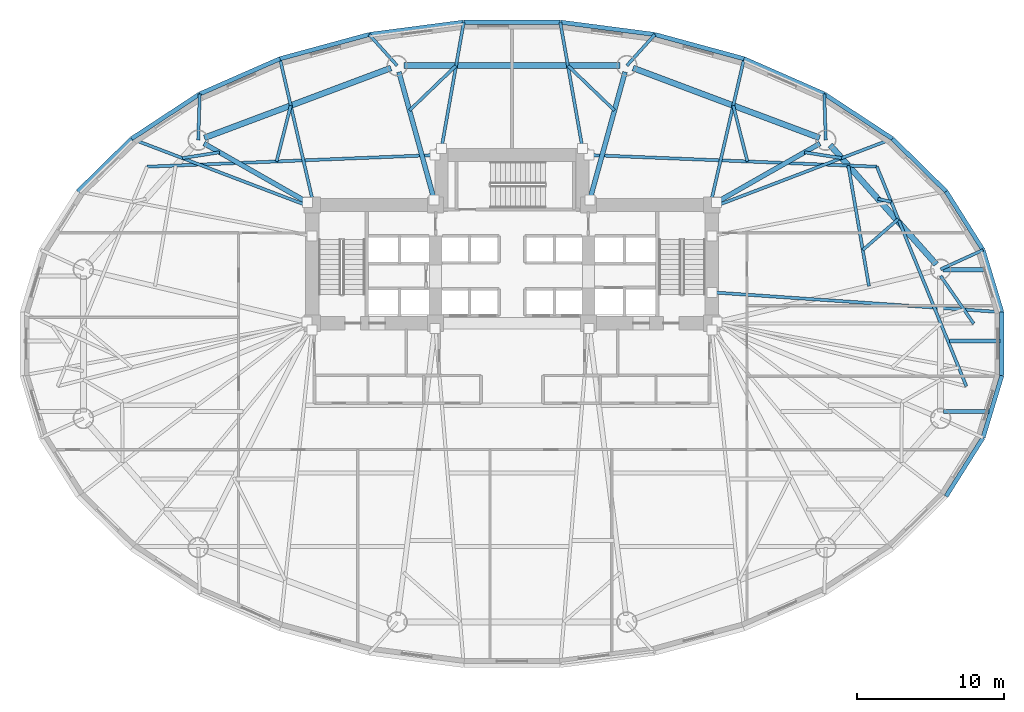
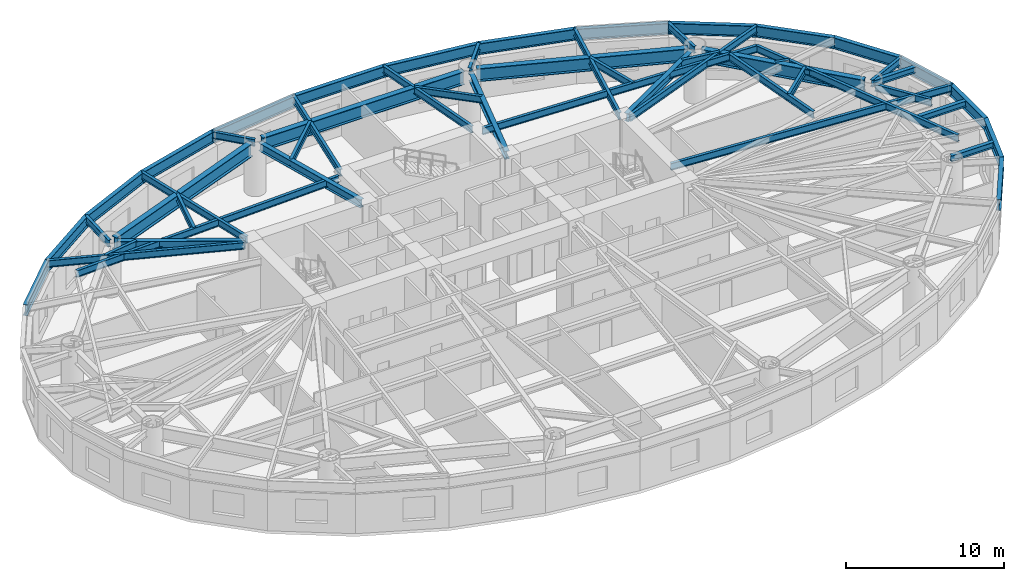
# One storey, part 3 of 14: 52 beams.
"""IFC4 building model written with IfcOpenShell, lengths in metres."""

from ifc_helpers import new_model, si_unit, direction, frame, origin, origin_2d, place, context, subcontext, project, spatial, i_section, extrude, material, material_profile, profile_set, type_object, element, save


model = new_model("IFC4")

# Units and contexts
model_context = context("Model", 3, precision=1e-05, world=origin(), true_north=direction((0.0, 1.0)))
body_context = subcontext(model_context, "Body", "Model", "MODEL_VIEW")
ifc_project = project(units=[si_unit("LENGTHUNIT", "METRE"), si_unit("AREAUNIT", "SQUARE_METRE"), si_unit("VOLUMEUNIT", "CUBIC_METRE"), si_unit("PLANEANGLEUNIT", "RADIAN"), si_unit("MASSUNIT", "GRAM", prefix="KILO")], contexts=[model_context])

# Site, building, storey
site_placement = place(None, origin())
site = spatial("IfcSite", under=ifc_project, at=site_placement, CompositionType="ELEMENT")
building_placement = place(site_placement, origin())
building = spatial("IfcBuilding", under=site, at=building_placement, Name="Keldmark Tower", CompositionType="ELEMENT")
storey_placement = place(building_placement, frame((0.0, 0.0, 18.60009765625)))
storey = spatial("IfcBuildingStorey", under=building, at=storey_placement, Name="L04", CompositionType="ELEMENT", Elevation=18.60009765625)

# Beams
ifc_material_1 = material(Name="Steel ASTM A992 Grade 50", Category="steel")
ifc_material_profile_1 = material_profile(ifc_material_1, i_section(OverallWidth=0.280029296875, OverallDepth=0.462890625, WebThickness=0.0107421875, FlangeThickness=0.017333984375, at=origin_2d()), Name="W18X76")
ifc_profile_set_1 = profile_set([ifc_material_profile_1], Name="Steel ASTM A992 Grade 50")
beam_type_1 = type_object("IfcBeamType", Name="Composite Floor Joist W18X76", PredefinedType="JOIST", material=ifc_profile_set_1)
beam_1_placement = place(storey_placement, frame((29.363037109375, -4.60009765625, 3.748291015625), z_axis=(1.0, 0.0, 0.0), x_axis=(0.0, 1.0, 0.0)))
element("IfcBeam", 1, at=beam_1_placement, inside=storey, type_object=beam_type_1, Name="L04 Composite Floor Joist J25", PredefinedType="JOIST", context=body_context, shape_type="SweptSolid", body=[
    extrude(i_section(OverallWidth=0.280029296875, OverallDepth=0.462890625, WebThickness=0.0107421875, FlangeThickness=0.017333984375, at=origin_2d()), origin(), (0.0, 0.0, 1.0), 3.092041015625),
])
beam_2_placement = place(storey_placement, frame((29.77001953125, 0.199951171875, 3.748291015625), z_axis=(1.0, 0.0, 0.0), x_axis=(0.0, 1.0, 0.0)))
element("IfcBeam", 2, at=beam_2_placement, inside=storey, type_object=beam_type_1, Name="L04 Composite Floor Joist J27", PredefinedType="JOIST", context=body_context, shape_type="SweptSolid", body=[
    extrude(i_section(OverallWidth=0.280029296875, OverallDepth=0.462890625, WebThickness=0.0107421875, FlangeThickness=0.017333984375, at=origin_2d()), origin(), (0.0, 0.0, 1.0), 3.431640625),
])
beam_3_placement = place(storey_placement, frame((29.337646484375, 5.0400390625, 3.748291015625), z_axis=(1.0, 0.0, 0.0), x_axis=(0.0, 1.0, 0.0)))
element("IfcBeam", 3, at=beam_3_placement, inside=storey, type_object=beam_type_1, Name="L04 Composite Floor Joist J29", PredefinedType="JOIST", context=body_context, shape_type="SweptSolid", body=[
    extrude(i_section(OverallWidth=0.280029296875, OverallDepth=0.462890625, WebThickness=0.0107421875, FlangeThickness=0.017333984375, at=origin_2d()), origin(), (0.0, 0.0, 1.0), 2.984375),
])
ifc_material_2 = material(Name="Steel ASTM A992 Grade 50", Category="steel")
ifc_material_profile_2 = material_profile(ifc_material_2, i_section(OverallWidth=0.402099609375, OverallDepth=1.011962890625, WebThickness=0.023681640625, FlangeThickness=0.0419921875, at=origin_2d()), Name="W40X297")
ifc_profile_set_2 = profile_set([ifc_material_profile_2], Name="Steel ASTM A992 Grade 50")
beam_type_2 = type_object("IfcBeamType", Name="Podium Primary Girder W40X297", PredefinedType="BEAM", material=ifc_profile_set_2)
beam_4_placement = place(storey_placement, frame((28.871826171875, 5.4091796875, 3.473876953125), z_axis=(-0.66464984112, 0.747154996436, 0.0), x_axis=(-0.747154996436, -0.66464984112, 0.0)))
element("IfcBeam", 4, at=beam_4_placement, inside=storey, type_object=beam_type_2, Name="L04 Podium Ring Girder PG-R01", PredefinedType="BEAM", context=body_context, shape_type="SweptSolid", body=[
    extrude(i_section(OverallWidth=0.402099609375, OverallDepth=1.011962890625, WebThickness=0.023681640625, FlangeThickness=0.0419921875, at=origin_2d()), origin(), (0.0, 0.0, 1.0), 10.85986328125),
])
beam_5_placement = place(storey_placement, frame((20.93310546875, 14.01708984375, 3.473876953125), z_axis=(-0.936417954382, 0.350886612329, 0.0), x_axis=(-0.350886612329, -0.936417954382, 0.0)))
element("IfcBeam", 5, at=beam_5_placement, inside=storey, type_object=beam_type_2, Name="L04 Podium Ring Girder PG-R02", PredefinedType="BEAM", context=body_context, shape_type="SweptSolid", body=[
    extrude(i_section(OverallWidth=0.402099609375, OverallDepth=1.011962890625, WebThickness=0.023681640625, FlangeThickness=0.0419921875, at=origin_2d()), origin(), (0.0, 0.0, 1.0), 13.557373046875),
])
beam_6_placement = place(storey_placement, frame((7.3662109375, 18.93212890625, 3.473876953125), z_axis=(-1.0, 0.0, 0.0), x_axis=(0.0, -1.0, 0.0)))
element("IfcBeam", 6, at=beam_6_placement, inside=storey, type_object=beam_type_2, Name="L04 Podium Ring Girder PG-R03", PredefinedType="BEAM", context=body_context, shape_type="SweptSolid", body=[
    extrude(i_section(OverallWidth=0.402099609375, OverallDepth=1.011962890625, WebThickness=0.023681640625, FlangeThickness=0.0419921875, at=origin_2d()), origin(), (0.0, 0.0, 1.0), 14.732421875),
])
beam_7_placement = place(storey_placement, frame((-8.23779296875, 18.774169921875, 3.473876953125), z_axis=(-0.936417954382, -0.350886612329, 0.0), x_axis=(0.350886612329, -0.936417954382, 0.0)))
element("IfcBeam", 7, at=beam_7_placement, inside=storey, type_object=beam_type_2, Name="L04 Podium Ring Girder PG-R04", PredefinedType="BEAM", context=body_context, shape_type="SweptSolid", body=[
    extrude(i_section(OverallWidth=0.402099609375, OverallDepth=1.011962890625, WebThickness=0.023681640625, FlangeThickness=0.0419921875, at=origin_2d()), origin(), (0.0, 0.0, 1.0), 13.557373046875),
])
ifc_material_3 = material(Name="Steel ASTM A992 Grade 50", Category="steel")
ifc_material_profile_3 = material_profile(ifc_material_3, i_section(OverallWidth=0.2099609375, OverallDepth=0.537109375, WebThickness=0.010986328125, FlangeThickness=0.017333984375, at=origin_2d()), Name="W21X68")
ifc_profile_set_3 = profile_set([ifc_material_profile_3], Name="Steel ASTM A992 Grade 50")
beam_type_3 = type_object("IfcBeamType", Name="Radial Tie Girder W21X68", PredefinedType="BEAM", material=ifc_profile_set_3)
beam_8_placement = place(storey_placement, frame((24.29541015625, 3.9228515625, 3.71142578125), z_axis=(-0.168727090465, 0.985662806919, 0.0), x_axis=(-0.985662806919, -0.168727090465, 0.0)))
element("IfcBeam", 8, at=beam_8_placement, inside=storey, type_object=beam_type_3, Name="L04 Framing Pin Header PH-001", PredefinedType="BEAM", context=body_context, shape_type="SweptSolid", body=[
    extrude(i_section(OverallWidth=0.2099609375, OverallDepth=0.537109375, WebThickness=0.010986328125, FlangeThickness=0.017333984375, at=origin_2d()), origin(), (0.0, 0.0, 1.0), 8.330078125),
])
for number, where, z_axis, x_axis, name in (
    (9, (5.25, 12.85009765625, 3.71142578125), (0.999176318744, -0.040579355112, 0.0), (0.040579355112, 0.999176318744, 0.0), "L04 Sub-Ring Step Girder STP1-M01"),
    (10, (-5.25, 12.85009765625, 3.71142578125), (-0.999176318744, -0.040579355112, 0.0), (0.040579355112, -0.999176318744, 0.0), "L04 Sub-Ring Step Girder STP1-M06"),
):
    element("IfcBeam", number, at=place(storey_placement, frame(where, z_axis=z_axis, x_axis=x_axis)), inside=storey, type_object=beam_type_3, Name=name, PredefinedType="BEAM", context=body_context, shape_type="SweptSolid", body=[
        extrude(i_section(OverallWidth=0.2099609375, OverallDepth=0.537109375, WebThickness=0.010986328125, FlangeThickness=0.017333984375, at=origin_2d()), origin(), (0.0, 0.0, 1.0), 19.601318359375),
    ])
beam_9_placement = place(storey_placement, frame((30.923583984375, -2.885986328125, 3.71142578125), z_axis=(-0.377373313858, 0.926061219352, 0.0), x_axis=(-0.926061219352, -0.377373313858, 0.0)))
element("IfcBeam", 11, at=beam_9_placement, inside=storey, type_object=beam_type_3, Name="L04 Perimeter Collector Ring Beam CRG1-M12", PredefinedType="BEAM", context=body_context, shape_type="SweptSolid", body=[
    extrude(i_section(OverallWidth=0.2099609375, OverallDepth=0.537109375, WebThickness=0.010986328125, FlangeThickness=0.017333984375, at=origin_2d()), origin(), (0.0, 0.0, 1.0), 16.133544921875),
])
beam_10_placement = place(storey_placement, frame((23.873779296875, 6.385986328125, 3.71142578125), z_axis=(0.75360521116, 0.657327304859, 0.0), x_axis=(-0.657327304859, 0.75360521116, 0.0)))
element("IfcBeam", 12, at=beam_10_placement, inside=storey, type_object=beam_type_3, Name="L04 Framing Pin Header PH-005", PredefinedType="BEAM", context=body_context, shape_type="SweptSolid", body=[
    extrude(i_section(OverallWidth=0.2099609375, OverallDepth=0.537109375, WebThickness=0.010986328125, FlangeThickness=0.017333984375, at=origin_2d()), origin(), (0.0, 0.0, 1.0), 3.20263671875),
])
beam_11_placement = place(storey_placement, frame((29.1708984375, 4.622802734375, 3.71142578125), z_axis=(0.569736780414, -0.821827233087, 0.0), x_axis=(0.821827233087, 0.569736780414, 0.0)))
element("IfcBeam", 13, at=beam_11_placement, inside=storey, type_object=beam_type_3, Name="L04 Local Collector Chord RT-01C", PredefinedType="BEAM", context=body_context, shape_type="SweptSolid", body=[
    extrude(i_section(OverallWidth=0.2099609375, OverallDepth=0.537109375, WebThickness=0.010986328125, FlangeThickness=0.017333984375, at=origin_2d()), origin(), (0.0, 0.0, 1.0), 3.951416015625),
])
beam_12_placement = place(storey_placement, frame((13.60009765625, 3.507080078125, 3.71142578125), z_axis=(0.99766727611, -0.068264237918, 0.0), x_axis=(0.068264237918, 0.99766727611, 0.0)))
element("IfcBeam", 14, at=beam_12_placement, inside=storey, type_object=beam_type_3, Name="L04 Perimeter Radial Tie Girder RT-01", PredefinedType="BEAM", context=body_context, shape_type="SweptSolid", body=[
    extrude(i_section(OverallWidth=0.2099609375, OverallDepth=0.537109375, WebThickness=0.010986328125, FlangeThickness=0.017333984375, at=origin_2d()), origin(), (0.0, 0.0, 1.0), 19.78466796875),
])
beam_13_placement = place(storey_placement, frame((29.1708984375, 5.072998046875, 3.71142578125), z_axis=(0.910237250682, 0.414087125458, 0.0), x_axis=(-0.414087125458, 0.910237250682, 0.0)))
element("IfcBeam", 15, at=beam_13_placement, inside=storey, type_object=beam_type_3, Name="L04 Perimeter Column Bracket RT-02", PredefinedType="BEAM", context=body_context, shape_type="SweptSolid", body=[
    extrude(i_section(OverallWidth=0.2099609375, OverallDepth=0.537109375, WebThickness=0.010986328125, FlangeThickness=0.017333984375, at=origin_2d()), origin(), (0.0, 0.0, 1.0), 3.17138671875),
])
beam_14_placement = place(storey_placement, frame((24.90185546875, 9.871826171875, 3.71142578125), z_axis=(0.974258642334, -0.225433133848, 0.0), x_axis=(0.225433133848, 0.974258642334, 0.0)))
element("IfcBeam", 16, at=beam_14_placement, inside=storey, type_object=beam_type_3, Name="L04 Framing Pin Header PH-009", PredefinedType="BEAM", context=body_context, shape_type="SweptSolid", body=[
    extrude(i_section(OverallWidth=0.2099609375, OverallDepth=0.537109375, WebThickness=0.010986328125, FlangeThickness=0.017333984375, at=origin_2d()), origin(), (0.0, 0.0, 1.0), 0.932373046875),
])
beam_15_placement = place(storey_placement, frame((19.904541015625, 13.034912109375, 3.71142578125), z_axis=(0.988136063904, -0.153580985843, 0.0), x_axis=(0.153580985843, 0.988136063904, 0.0)))
element("IfcBeam", 17, at=beam_15_placement, inside=storey, type_object=beam_type_3, Name="L04 Framing Pin Header PH-010", PredefinedType="BEAM", context=body_context, shape_type="SweptSolid", body=[
    extrude(i_section(OverallWidth=0.2099609375, OverallDepth=0.537109375, WebThickness=0.010986328125, FlangeThickness=0.017333984375, at=origin_2d()), origin(), (0.0, 0.0, 1.0), 2.564208984375),
])
beam_16_placement = place(storey_placement, frame((14.050048828125, 9.449951171875, 3.71142578125), z_axis=(0.934642662924, 0.355588375293, 0.0), x_axis=(-0.355588375293, 0.934642662924, 0.0)))
element("IfcBeam", 18, at=beam_16_placement, inside=storey, type_object=beam_type_3, Name="L04 Perimeter Radial Tie Girder RT-04", PredefinedType="BEAM", context=body_context, shape_type="SweptSolid", body=[
    extrude(i_section(OverallWidth=0.2099609375, OverallDepth=0.537109375, WebThickness=0.010986328125, FlangeThickness=0.017333984375, at=origin_2d()), origin(), (0.0, 0.0, 1.0), 12.67431640625),
])
beam_17_placement = place(storey_placement, frame((21.3544921875, 13.859375, 3.71142578125), z_axis=(-0.032491176768, 0.999472022336, 0.0), x_axis=(-0.999472022336, -0.032491176768, 0.0)))
element("IfcBeam", 19, at=beam_17_placement, inside=storey, type_object=beam_type_3, Name="L04 Perimeter Column Bracket RT-05", PredefinedType="BEAM", context=body_context, shape_type="SweptSolid", body=[
    extrude(i_section(OverallWidth=0.2099609375, OverallDepth=0.537109375, WebThickness=0.010986328125, FlangeThickness=0.017333984375, at=origin_2d()), origin(), (0.0, 0.0, 1.0), 3.1484375),
])
beam_18_placement = place(storey_placement, frame((16.02197265625, 12.41259765625, 3.71142578125), z_axis=(-0.245606779521, 0.969369542462, 0.0), x_axis=(-0.969369542462, -0.245606779521, 0.0)))
element("IfcBeam", 20, at=beam_18_placement, inside=storey, type_object=beam_type_3, Name="L04 Framing Pin Header PH-011", PredefinedType="BEAM", context=body_context, shape_type="SweptSolid", body=[
    extrude(i_section(OverallWidth=0.2099609375, OverallDepth=0.537109375, WebThickness=0.010986328125, FlangeThickness=0.017333984375, at=origin_2d()), origin(), (0.0, 0.0, 1.0), 3.926513671875),
])
beam_19_placement = place(storey_placement, frame((13.60009765625, 9.89990234375, 3.71142578125), z_axis=(0.224740658325, 0.974418614608, 0.0), x_axis=(-0.974418614608, 0.224740658325, 0.0)))
element("IfcBeam", 21, at=beam_19_placement, inside=storey, type_object=beam_type_3, Name="L04 Perimeter Radial Tie Girder RT-06", PredefinedType="BEAM", context=body_context, shape_type="SweptSolid", body=[
    extrude(i_section(OverallWidth=0.2099609375, OverallDepth=0.537109375, WebThickness=0.010986328125, FlangeThickness=0.017333984375, at=origin_2d()), origin(), (0.0, 0.0, 1.0), 9.751953125),
])
beam_20_placement = place(storey_placement, frame((7.81640625, 18.93212890625, 3.71142578125), z_axis=(0.668898533975, 0.743353718795, 0.0), x_axis=(-0.743353718795, 0.668898533975, 0.0)))
element("IfcBeam", 22, at=beam_20_placement, inside=storey, type_object=beam_type_3, Name="L04 Perimeter Column Bracket RT-07", PredefinedType="BEAM", context=body_context, shape_type="SweptSolid", body=[
    extrude(i_section(OverallWidth=0.2099609375, OverallDepth=0.537109375, WebThickness=0.010986328125, FlangeThickness=0.017333984375, at=origin_2d()), origin(), (0.0, 0.0, 1.0), 2.852783203125),
])
beam_21_placement = place(storey_placement, frame((6.9755859375, 15.885009765625, 3.71142578125), z_axis=(-0.720880013375, 0.69305988653, 0.0), x_axis=(-0.69305988653, -0.720880013375, 0.0)))
element("IfcBeam", 23, at=beam_21_placement, inside=storey, type_object=beam_type_3, Name="L04 Framing Pin Header PH-012", PredefinedType="BEAM", context=body_context, shape_type="SweptSolid", body=[
    extrude(i_section(OverallWidth=0.2099609375, OverallDepth=0.537109375, WebThickness=0.010986328125, FlangeThickness=0.017333984375, at=origin_2d()), origin(), (0.0, 0.0, 1.0), 4.396728515625),
])
beam_22_placement = place(storey_placement, frame((4.800048828125, 13.300048828125, 3.71142578125), z_axis=(-0.173759798583, 0.984788064711, 0.0), x_axis=(-0.984788064711, -0.173759798583, 0.0)))
element("IfcBeam", 24, at=beam_22_placement, inside=storey, type_object=beam_type_3, Name="L04 Perimeter Radial Tie Girder RT-08", PredefinedType="BEAM", context=body_context, shape_type="SweptSolid", body=[
    extrude(i_section(OverallWidth=0.2099609375, OverallDepth=0.537109375, WebThickness=0.010986328125, FlangeThickness=0.017333984375, at=origin_2d()), origin(), (0.0, 0.0, 1.0), 8.726806640625),
])
beam_23_placement = place(storey_placement, frame((-6.9755859375, 15.885009765625, 3.71142578125), z_axis=(0.720880013375, 0.69305988653, 0.0), x_axis=(-0.69305988653, 0.720880013375, 0.0)))
element("IfcBeam", 25, at=beam_23_placement, inside=storey, type_object=beam_type_3, Name="L04 Framing Pin Header PH-013", PredefinedType="BEAM", context=body_context, shape_type="SweptSolid", body=[
    extrude(i_section(OverallWidth=0.2099609375, OverallDepth=0.537109375, WebThickness=0.010986328125, FlangeThickness=0.017333984375, at=origin_2d()), origin(), (0.0, 0.0, 1.0), 4.396728515625),
])
beam_24_placement = place(storey_placement, frame((-4.800048828125, 13.300048828125, 3.71142578125), z_axis=(0.173759798583, 0.984788064711, 0.0), x_axis=(-0.984788064711, 0.173759798583, 0.0)))
element("IfcBeam", 26, at=beam_24_placement, inside=storey, type_object=beam_type_3, Name="L04 Perimeter Radial Tie Girder RT-09", PredefinedType="BEAM", context=body_context, shape_type="SweptSolid", body=[
    extrude(i_section(OverallWidth=0.2099609375, OverallDepth=0.537109375, WebThickness=0.010986328125, FlangeThickness=0.017333984375, at=origin_2d()), origin(), (0.0, 0.0, 1.0), 8.726806640625),
])
beam_25_placement = place(storey_placement, frame((-7.81640625, 18.93212890625, 3.71142578125), z_axis=(-0.668898533975, 0.743353718795, 0.0), x_axis=(-0.743353718795, -0.668898533975, 0.0)))
element("IfcBeam", 27, at=beam_25_placement, inside=storey, type_object=beam_type_3, Name="L04 Perimeter Column Bracket RT-10", PredefinedType="BEAM", context=body_context, shape_type="SweptSolid", body=[
    extrude(i_section(OverallWidth=0.2099609375, OverallDepth=0.537109375, WebThickness=0.010986328125, FlangeThickness=0.017333984375, at=origin_2d()), origin(), (0.0, 0.0, 1.0), 2.852783203125),
])
beam_26_placement = place(storey_placement, frame((-16.02197265625, 12.41259765625, 3.71142578125), z_axis=(0.245606779521, 0.969369542462, 0.0), x_axis=(-0.969369542462, 0.245606779521, 0.0)))
element("IfcBeam", 28, at=beam_26_placement, inside=storey, type_object=beam_type_3, Name="L04 Framing Pin Header PH-014", PredefinedType="BEAM", context=body_context, shape_type="SweptSolid", body=[
    extrude(i_section(OverallWidth=0.2099609375, OverallDepth=0.537109375, WebThickness=0.010986328125, FlangeThickness=0.017333984375, at=origin_2d()), origin(), (0.0, 0.0, 1.0), 3.926513671875),
])
beam_27_placement = place(storey_placement, frame((-13.60009765625, 9.89990234375, 3.71142578125), z_axis=(-0.224740658325, 0.974418614608, 0.0), x_axis=(-0.974418614608, -0.224740658325, 0.0)))
element("IfcBeam", 29, at=beam_27_placement, inside=storey, type_object=beam_type_3, Name="L04 Perimeter Radial Tie Girder RT-11", PredefinedType="BEAM", context=body_context, shape_type="SweptSolid", body=[
    extrude(i_section(OverallWidth=0.2099609375, OverallDepth=0.537109375, WebThickness=0.010986328125, FlangeThickness=0.017333984375, at=origin_2d()), origin(), (0.0, 0.0, 1.0), 9.751953125),
])
beam_28_placement = place(storey_placement, frame((-21.3544921875, 13.859375, 3.71142578125), z_axis=(0.032491176768, 0.999472022336, 0.0), x_axis=(-0.999472022336, 0.032491176768, 0.0)))
element("IfcBeam", 30, at=beam_28_placement, inside=storey, type_object=beam_type_3, Name="L04 Perimeter Column Bracket RT-12", PredefinedType="BEAM", context=body_context, shape_type="SweptSolid", body=[
    extrude(i_section(OverallWidth=0.2099609375, OverallDepth=0.537109375, WebThickness=0.010986328125, FlangeThickness=0.017333984375, at=origin_2d()), origin(), (0.0, 0.0, 1.0), 3.1484375),
])
beam_29_placement = place(storey_placement, frame((-19.904541015625, 13.034912109375, 3.71142578125), z_axis=(-0.988136063904, -0.153580985843, 0.0), x_axis=(0.153580985843, -0.988136063904, 0.0)))
element("IfcBeam", 31, at=beam_29_placement, inside=storey, type_object=beam_type_3, Name="L04 Framing Pin Header PH-015", PredefinedType="BEAM", context=body_context, shape_type="SweptSolid", body=[
    extrude(i_section(OverallWidth=0.2099609375, OverallDepth=0.537109375, WebThickness=0.010986328125, FlangeThickness=0.017333984375, at=origin_2d()), origin(), (0.0, 0.0, 1.0), 2.564208984375),
])
beam_30_placement = place(storey_placement, frame((-14.050048828125, 9.449951171875, 3.71142578125), z_axis=(-0.934642662924, 0.355588375293, 0.0), x_axis=(-0.355588375293, -0.934642662924, 0.0)))
element("IfcBeam", 32, at=beam_30_placement, inside=storey, type_object=beam_type_3, Name="L04 Perimeter Radial Tie Girder RT-13", PredefinedType="BEAM", context=body_context, shape_type="SweptSolid", body=[
    extrude(i_section(OverallWidth=0.2099609375, OverallDepth=0.537109375, WebThickness=0.010986328125, FlangeThickness=0.017333984375, at=origin_2d()), origin(), (0.0, 0.0, 1.0), 12.67431640625),
])
ifc_material_4 = material(Name="Steel ASTM A992 Grade 50", Category="steel")
ifc_material_profile_4 = material_profile(ifc_material_4, i_section(OverallWidth=0.326904296875, OverallDepth=0.6220703125, WebThickness=0.015380859375, FlangeThickness=0.0244140625, at=origin_2d()), Name="W24X131")
ifc_profile_set_4 = profile_set([ifc_material_profile_4], Name="Steel ASTM A992 Grade 50")
beam_type_4 = type_object("IfcBeamType", Name="Spandrel Ring Beam W24X131", PredefinedType="SPANDREL", material=ifc_profile_set_4)
beam_31_placement = place(storey_placement, frame((20.96337890625, 13.636962890625, 3.6689453125), z_axis=(-0.869293918493, -0.494295542434, 0.0), x_axis=(0.494295542434, -0.869293918493, 0.0)))
element("IfcBeam", 33, at=beam_31_placement, inside=storey, type_object=beam_type_4, Name="L04 Podium Radial Girder PG-C02", PredefinedType="SPANDREL", context=body_context, shape_type="SweptSolid", body=[
    extrude(i_section(OverallWidth=0.326904296875, OverallDepth=0.6220703125, WebThickness=0.015380859375, FlangeThickness=0.0244140625, at=origin_2d()), origin(), (0.0, 0.0, 1.0), 8.120361328125),
])
for number, where, z_axis, x_axis, name in (
    (34, (7.696533203125, 18.498291015625, 3.6689453125), (-0.265960165124, -0.963984019871, 0.0), (0.963984019871, -0.265960165124, 0.0), "L04 Podium Radial Girder PG-C03"),
    (35, (-7.696533203125, 18.498291015625, 3.6689453125), (0.265960165124, -0.963984019871, 0.0), (0.963984019871, 0.265960165124, 0.0), "L04 Podium Radial Girder PG-C04"),
):
    element("IfcBeam", number, at=place(storey_placement, frame(where, z_axis=z_axis, x_axis=x_axis)), inside=storey, type_object=beam_type_4, Name=name, PredefinedType="SPANDREL", context=body_context, shape_type="SweptSolid", body=[
        extrude(i_section(OverallWidth=0.326904296875, OverallDepth=0.6220703125, WebThickness=0.015380859375, FlangeThickness=0.0244140625, at=origin_2d()), origin(), (0.0, 0.0, 1.0), 9.036376953125),
    ])
beam_32_placement = place(storey_placement, frame((-20.96337890625, 13.636962890625, 3.6689453125), z_axis=(0.869293918493, -0.494295542434, 0.0), x_axis=(0.494295542434, 0.869293918493, 0.0)))
element("IfcBeam", 36, at=beam_32_placement, inside=storey, type_object=beam_type_4, Name="L04 Podium Radial Girder PG-C05", PredefinedType="SPANDREL", context=body_context, shape_type="SweptSolid", body=[
    extrude(i_section(OverallWidth=0.326904296875, OverallDepth=0.6220703125, WebThickness=0.015380859375, FlangeThickness=0.0244140625, at=origin_2d()), origin(), (0.0, 0.0, 1.0), 8.120361328125),
])
ifc_material_5 = material(Name="Steel ASTM A992 Grade 50", Category="steel")
ifc_material_profile_5 = material_profile(ifc_material_5, i_section(OverallWidth=0.2919921875, OverallDepth=0.85888671875, WebThickness=0.01708984375, FlangeThickness=0.031005859375, at=origin_2d()), Name="W33X169")
ifc_profile_set_5 = profile_set([ifc_material_profile_5], Name="Steel ASTM A992 Grade 50")
beam_type_5 = type_object("IfcBeamType", Name="Spandrel Ring Beam W33X169", PredefinedType="SPANDREL", material=ifc_profile_set_5)
beam_33_placement = place(storey_placement, frame((33.338623046875, 2.156494140625, 3.55029296875), z_axis=(-0.289855603468, 0.957070388811, 0.0), x_axis=(-0.957070388811, -0.289855603468, 0.0)))
element("IfcBeam", 37, at=beam_33_placement, inside=storey, type_object=beam_type_5, Name="L04 Perimeter Spandrel Ring Beam SRB-01", PredefinedType="SPANDREL", context=body_context, shape_type="SweptSolid", body=[
    extrude(i_section(OverallWidth=0.2919921875, OverallDepth=0.85888671875, WebThickness=0.01708984375, FlangeThickness=0.031005859375, at=origin_2d()), origin(), (0.0, 0.0, 1.0), 4.41943359375),
])
beam_34_placement = place(storey_placement, frame((32.0576171875, 6.38623046875, 3.55029296875), z_axis=(-0.53349762721, 0.845801561693, 0.0), x_axis=(-0.845801561693, -0.53349762721, 0.0)))
element("IfcBeam", 38, at=beam_34_placement, inside=storey, type_object=beam_type_5, Name="L04 Perimeter Spandrel Ring Beam SRB-02", PredefinedType="SPANDREL", context=body_context, shape_type="SweptSolid", body=[
    extrude(i_section(OverallWidth=0.2919921875, OverallDepth=0.85888671875, WebThickness=0.01708984375, FlangeThickness=0.031005859375, at=origin_2d()), origin(), (0.0, 0.0, 1.0), 4.710693359375),
])
beam_35_placement = place(storey_placement, frame((29.54443359375, 10.37060546875, 3.55029296875), z_axis=(-0.713165222071, 0.700995981464, 0.0), x_axis=(-0.700995981464, -0.713165222071, 0.0)))
element("IfcBeam", 39, at=beam_35_placement, inside=storey, type_object=beam_type_5, Name="L04 Perimeter Spandrel Ring Beam SRB-03", PredefinedType="SPANDREL", context=body_context, shape_type="SweptSolid", body=[
    extrude(i_section(OverallWidth=0.2919921875, OverallDepth=0.85888671875, WebThickness=0.01708984375, FlangeThickness=0.031005859375, at=origin_2d()), origin(), (0.0, 0.0, 1.0), 5.11572265625),
])
beam_36_placement = place(storey_placement, frame((25.89599609375, 13.956787109375, 3.55029296875), z_axis=(-0.835897322981, 0.548885840073, 0.0), x_axis=(-0.548885840073, -0.835897322981, 0.0)))
element("IfcBeam", 40, at=beam_36_placement, inside=storey, type_object=beam_type_5, Name="L04 Perimeter Spandrel Ring Beam SRB-04", PredefinedType="SPANDREL", context=body_context, shape_type="SweptSolid", body=[
    extrude(i_section(OverallWidth=0.2919921875, OverallDepth=0.85888671875, WebThickness=0.01708984375, FlangeThickness=0.031005859375, at=origin_2d()), origin(), (0.0, 0.0, 1.0), 5.555419921875),
])
beam_37_placement = place(storey_placement, frame((21.252197265625, 17.006103515625, 3.55029296875), z_axis=(-0.91570760638, 0.401845218484, 0.0), x_axis=(-0.401845218484, -0.91570760638, 0.0)))
element("IfcBeam", 41, at=beam_37_placement, inside=storey, type_object=beam_type_5, Name="L04 Perimeter Spandrel Ring Beam SRB-05", PredefinedType="SPANDREL", context=body_context, shape_type="SweptSolid", body=[
    extrude(i_section(OverallWidth=0.2919921875, OverallDepth=0.85888671875, WebThickness=0.01708984375, FlangeThickness=0.031005859375, at=origin_2d()), origin(), (0.0, 0.0, 1.0), 5.963134765625),
])
beam_38_placement = place(storey_placement, frame((15.791748046875, 19.40234375, 3.55029296875), z_axis=(-0.964936550718, 0.262483243445, 0.0), x_axis=(-0.262483243445, -0.964936550718, 0.0)))
element("IfcBeam", 42, at=beam_38_placement, inside=storey, type_object=beam_type_5, Name="L04 Perimeter Spandrel Ring Beam SRB-06", PredefinedType="SPANDREL", context=body_context, shape_type="SweptSolid", body=[
    extrude(i_section(OverallWidth=0.2919921875, OverallDepth=0.85888671875, WebThickness=0.01708984375, FlangeThickness=0.031005859375, at=origin_2d()), origin(), (0.0, 0.0, 1.0), 6.28759765625),
])
beam_39_placement = place(storey_placement, frame((9.724609375, 21.052734375, 3.55029296875), z_axis=(-0.991576921472, 0.129519144545, 0.0), x_axis=(-0.129519144545, -0.991576921472, 0.0)))
element("IfcBeam", 43, at=beam_39_placement, inside=storey, type_object=beam_type_5, Name="L04 Perimeter Spandrel Ring Beam SRB-07", PredefinedType="SPANDREL", context=body_context, shape_type="SweptSolid", body=[
    extrude(i_section(OverallWidth=0.2919921875, OverallDepth=0.85888671875, WebThickness=0.01708984375, FlangeThickness=0.031005859375, at=origin_2d()), origin(), (0.0, 0.0, 1.0), 6.49560546875),
])
beam_40_placement = place(storey_placement, frame((3.28369140625, 21.89404296875, 3.55029296875), z_axis=(-1.0, 0.0, 0.0), x_axis=(0.0, -1.0, 0.0)))
element("IfcBeam", 44, at=beam_40_placement, inside=storey, type_object=beam_type_5, Name="L04 Perimeter Spandrel Ring Beam SRB-08", PredefinedType="SPANDREL", context=body_context, shape_type="SweptSolid", body=[
    extrude(i_section(OverallWidth=0.2919921875, OverallDepth=0.85888671875, WebThickness=0.01708984375, FlangeThickness=0.031005859375, at=origin_2d()), origin(), (0.0, 0.0, 1.0), 6.5673828125),
])
beam_41_placement = place(storey_placement, frame((-3.28369140625, 21.89404296875, 3.55029296875), z_axis=(-0.991576921472, -0.129519144545, 0.0), x_axis=(0.129519144545, -0.991576921472, 0.0)))
element("IfcBeam", 45, at=beam_41_placement, inside=storey, type_object=beam_type_5, Name="L04 Perimeter Spandrel Ring Beam SRB-09", PredefinedType="SPANDREL", context=body_context, shape_type="SweptSolid", body=[
    extrude(i_section(OverallWidth=0.2919921875, OverallDepth=0.85888671875, WebThickness=0.01708984375, FlangeThickness=0.031005859375, at=origin_2d()), origin(), (0.0, 0.0, 1.0), 6.49560546875),
])
beam_42_placement = place(storey_placement, frame((-9.724609375, 21.052734375, 3.55029296875), z_axis=(-0.964936550718, -0.262483243445, 0.0), x_axis=(0.262483243445, -0.964936550718, 0.0)))
element("IfcBeam", 46, at=beam_42_placement, inside=storey, type_object=beam_type_5, Name="L04 Perimeter Spandrel Ring Beam SRB-10", PredefinedType="SPANDREL", context=body_context, shape_type="SweptSolid", body=[
    extrude(i_section(OverallWidth=0.2919921875, OverallDepth=0.85888671875, WebThickness=0.01708984375, FlangeThickness=0.031005859375, at=origin_2d()), origin(), (0.0, 0.0, 1.0), 6.28759765625),
])
beam_43_placement = place(storey_placement, frame((-15.791748046875, 19.40234375, 3.55029296875), z_axis=(-0.91570760638, -0.401845218484, 0.0), x_axis=(0.401845218484, -0.91570760638, 0.0)))
element("IfcBeam", 47, at=beam_43_placement, inside=storey, type_object=beam_type_5, Name="L04 Perimeter Spandrel Ring Beam SRB-11", PredefinedType="SPANDREL", context=body_context, shape_type="SweptSolid", body=[
    extrude(i_section(OverallWidth=0.2919921875, OverallDepth=0.85888671875, WebThickness=0.01708984375, FlangeThickness=0.031005859375, at=origin_2d()), origin(), (0.0, 0.0, 1.0), 5.963134765625),
])
beam_44_placement = place(storey_placement, frame((-21.252197265625, 17.006103515625, 3.55029296875), z_axis=(-0.835897322981, -0.548885840073, 0.0), x_axis=(0.548885840073, -0.835897322981, 0.0)))
element("IfcBeam", 48, at=beam_44_placement, inside=storey, type_object=beam_type_5, Name="L04 Perimeter Spandrel Ring Beam SRB-12", PredefinedType="SPANDREL", context=body_context, shape_type="SweptSolid", body=[
    extrude(i_section(OverallWidth=0.2919921875, OverallDepth=0.85888671875, WebThickness=0.01708984375, FlangeThickness=0.031005859375, at=origin_2d()), origin(), (0.0, 0.0, 1.0), 5.555419921875),
])
beam_45_placement = place(storey_placement, frame((-25.89599609375, 13.956787109375, 3.55029296875), z_axis=(-0.713165222071, -0.700995981464, 0.0), x_axis=(0.700995981464, -0.713165222071, 0.0)))
element("IfcBeam", 49, at=beam_45_placement, inside=storey, type_object=beam_type_5, Name="L04 Perimeter Spandrel Ring Beam SRB-13", PredefinedType="SPANDREL", context=body_context, shape_type="SweptSolid", body=[
    extrude(i_section(OverallWidth=0.2919921875, OverallDepth=0.85888671875, WebThickness=0.01708984375, FlangeThickness=0.031005859375, at=origin_2d()), origin(), (0.0, 0.0, 1.0), 5.11572265625),
])
beam_46_placement = place(storey_placement, frame((29.54443359375, -10.37060546875, 3.55029296875), z_axis=(0.53349762721, 0.845801561693, 0.0), x_axis=(-0.845801561693, 0.53349762721, 0.0)))
element("IfcBeam", 50, at=beam_46_placement, inside=storey, type_object=beam_type_5, Name="L04 Perimeter Spandrel Ring Beam SRB-30", PredefinedType="SPANDREL", context=body_context, shape_type="SweptSolid", body=[
    extrude(i_section(OverallWidth=0.2919921875, OverallDepth=0.85888671875, WebThickness=0.01708984375, FlangeThickness=0.031005859375, at=origin_2d()), origin(), (0.0, 0.0, 1.0), 4.710693359375),
])
beam_47_placement = place(storey_placement, frame((32.0576171875, -6.38623046875, 3.55029296875), z_axis=(0.289855603468, 0.957070388811, 0.0), x_axis=(-0.957070388811, 0.289855603468, 0.0)))
element("IfcBeam", 51, at=beam_47_placement, inside=storey, type_object=beam_type_5, Name="L04 Perimeter Spandrel Ring Beam SRB-31", PredefinedType="SPANDREL", context=body_context, shape_type="SweptSolid", body=[
    extrude(i_section(OverallWidth=0.2919921875, OverallDepth=0.85888671875, WebThickness=0.01708984375, FlangeThickness=0.031005859375, at=origin_2d()), origin(), (0.0, 0.0, 1.0), 4.41943359375),
])
beam_48_placement = place(storey_placement, frame((33.338623046875, -2.156494140625, 3.55029296875), z_axis=(0.0, 1.0, 0.0), x_axis=(-1.0, 0.0, 0.0)))
element("IfcBeam", 52, at=beam_48_placement, inside=storey, type_object=beam_type_5, Name="L04 Perimeter Spandrel Ring Beam SRB-32", PredefinedType="SPANDREL", context=body_context, shape_type="SweptSolid", body=[
    extrude(i_section(OverallWidth=0.2919921875, OverallDepth=0.85888671875, WebThickness=0.01708984375, FlangeThickness=0.031005859375, at=origin_2d()), origin(), (0.0, 0.0, 1.0), 4.31298828125),
])

save(model, "model.ifc")
